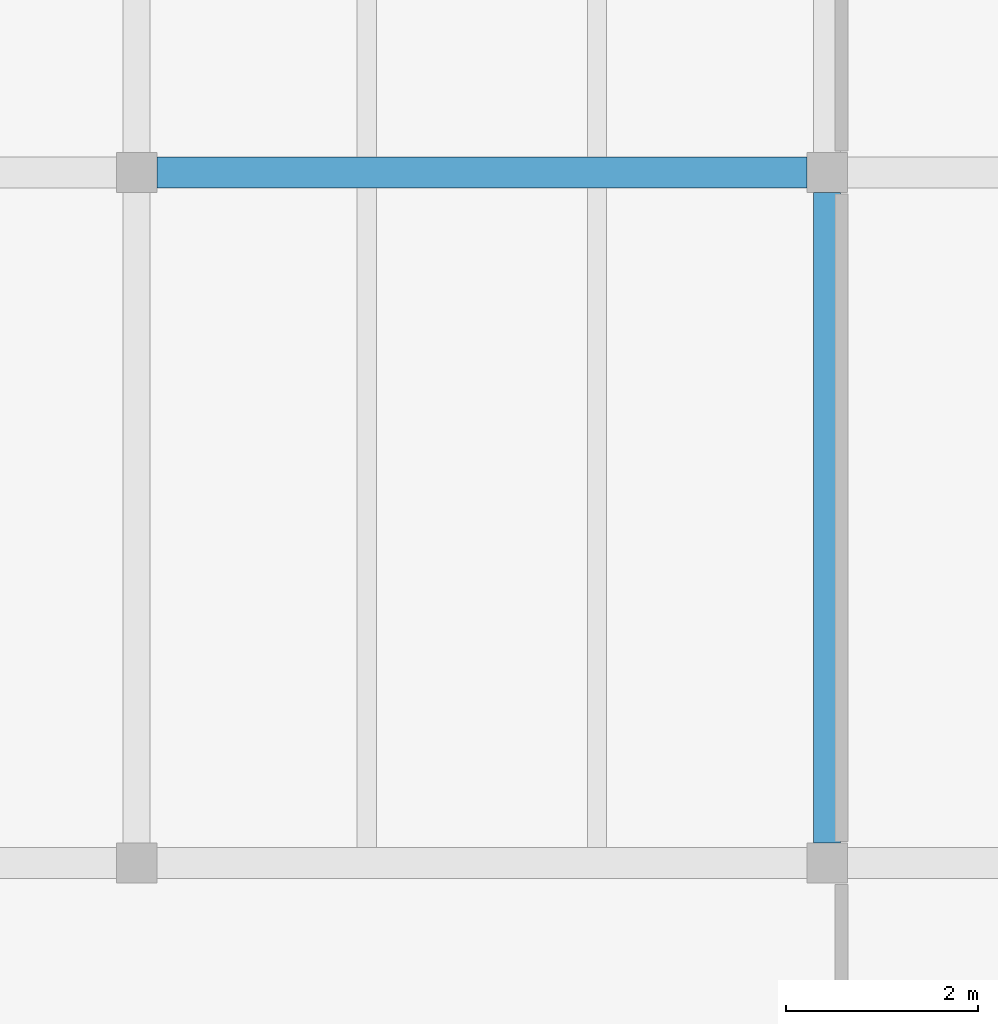
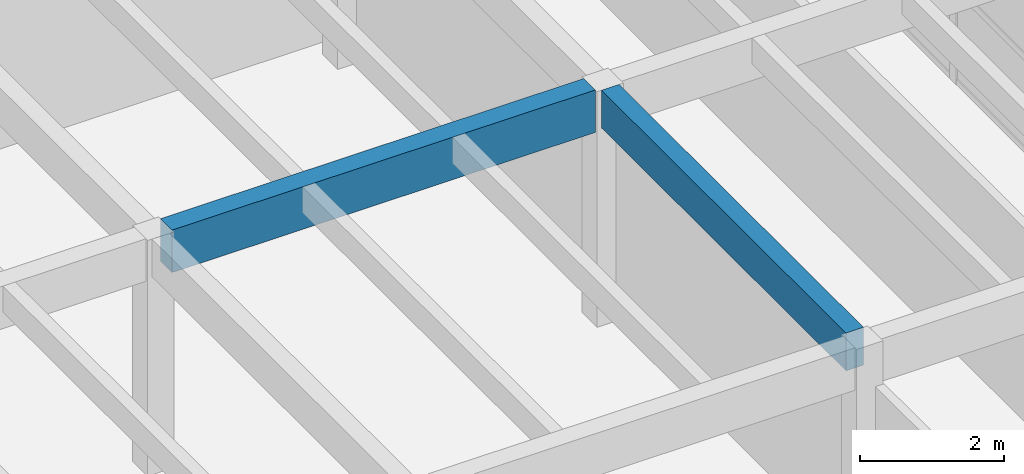
# One storey, part 11 of 68: 2 beams.
"""IFC4 building model written with IfcOpenShell, lengths in metres."""

from ifc_helpers import new_model, si_unit, direction, frame, origin, origin_2d, place, context, subcontext, project, spatial, rectangle, extrude, material, material_profile, profile_set, type_object, element, save


model = new_model("IFC4")

# Units and contexts
model_context = context("Model", 3, precision=1e-05, world=origin(), true_north=direction((0.0, 1.0)))
body_context = subcontext(model_context, "Body", "Model", "MODEL_VIEW")
ifc_project = project(units=[si_unit("LENGTHUNIT", "METRE"), si_unit("AREAUNIT", "SQUARE_METRE"), si_unit("VOLUMEUNIT", "CUBIC_METRE"), si_unit("PLANEANGLEUNIT", "RADIAN"), si_unit("MASSUNIT", "GRAM", prefix="KILO")], contexts=[model_context])

# Site, building, storey
site_placement = place(None, origin())
site = spatial("IfcSite", under=ifc_project, at=site_placement, CompositionType="ELEMENT")
building_placement = place(site_placement, origin())
building = spatial("IfcBuilding", under=site, at=building_placement, Name="Bramvelor Terrace Health Centre", CompositionType="ELEMENT")
storey_placement = place(building_placement, frame((0.0, 0.0, 9.300048828125)))
storey = spatial("IfcBuildingStorey", under=building, at=storey_placement, Name="L03", CompositionType="ELEMENT", Elevation=9.300048828125)

# Beams
ifc_material_1 = material(Name="Glulam GL28h", Category="wood")
ifc_material_profile_1 = material_profile(ifc_material_1, rectangle(XDim=0.280029296875, YDim=0.639892578125, at=origin_2d()), Name="GL 280x640")
ifc_profile_set_1 = profile_set([ifc_material_profile_1], Name="Glulam GL28h")
beam_type_1 = type_object("IfcBeamType", Name="BM-GL-G640", PredefinedType="BEAM", material=ifc_profile_set_1)
beam_1_placement = place(storey_placement, frame((14.39990234375, 43.409912109375, 3.669921875), z_axis=(0.0, 1.0, 0.0), x_axis=(-1.0, 0.0, 0.0)))
element("IfcBeam", 1, at=beam_1_placement, inside=storey, type_object=beam_type_1, Name="L03 Floor Girder", PredefinedType="BEAM", context=body_context, shape_type="SweptSolid", body=[
    extrude(rectangle(XDim=0.280029296875, YDim=0.639892578125, at=origin_2d()), origin(), (0.0, 0.0, 1.0), 6.780029296875),
])
ifc_material_2 = material(Name="Glulam GL28h", Category="wood")
ifc_material_profile_2 = material_profile(ifc_material_2, rectangle(XDim=0.320068359375, YDim=0.719970703125, at=origin_2d()), Name="GL 320x720")
ifc_profile_set_2 = profile_set([ifc_material_profile_2], Name="Glulam GL28h")
beam_type_2 = type_object("IfcBeamType", Name="BM-GL-G720", PredefinedType="BEAM", material=ifc_profile_set_2)
beam_2_placement = place(storey_placement, frame((7.409912109375, 50.39990234375, 3.6298828125), z_axis=(1.0, 0.0, 0.0), x_axis=(0.0, 1.0, 0.0)))
element("IfcBeam", 2, at=beam_2_placement, inside=storey, type_object=beam_type_2, Name="L03 Floor Girder", PredefinedType="BEAM", context=body_context, shape_type="SweptSolid", body=[
    extrude(rectangle(XDim=0.320068359375, YDim=0.719970703125, at=origin_2d()), origin(), (0.0, 0.0, 1.0), 6.780029296875),
])

save(model, "model.ifc")
